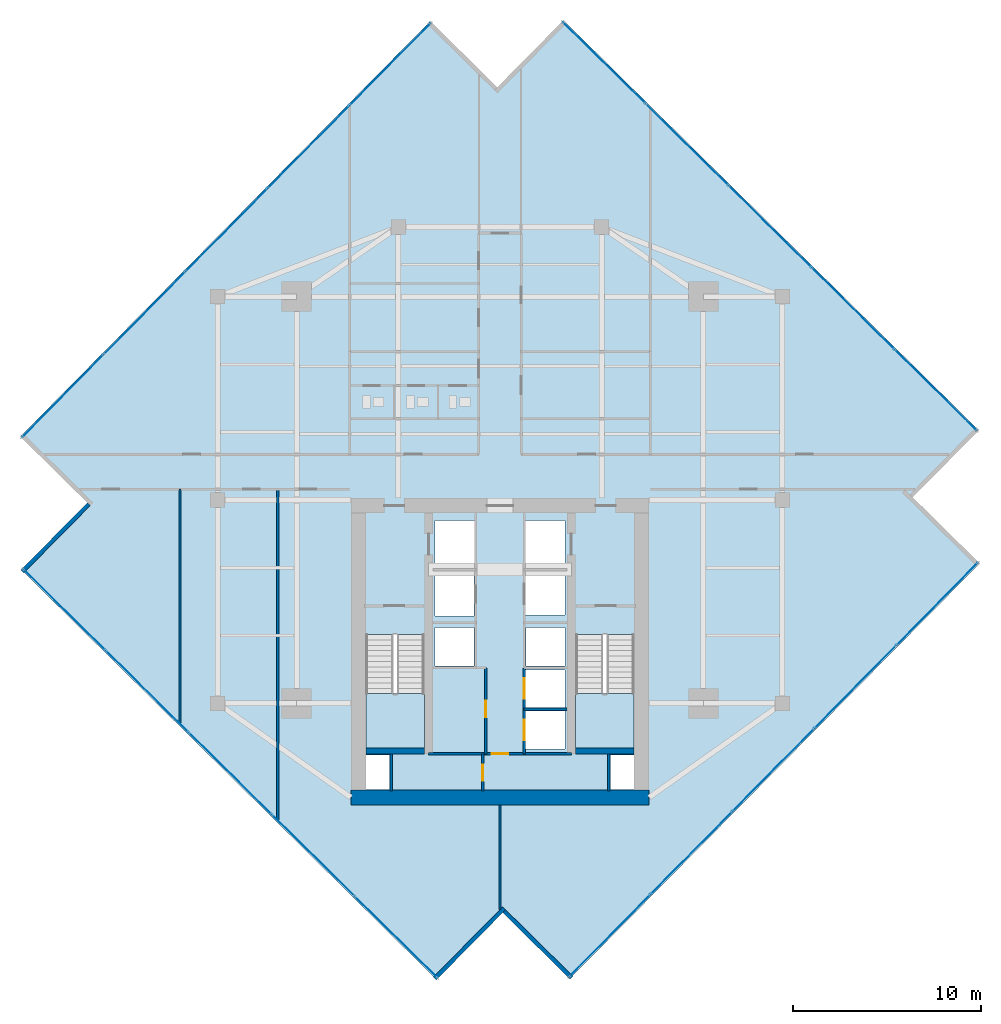
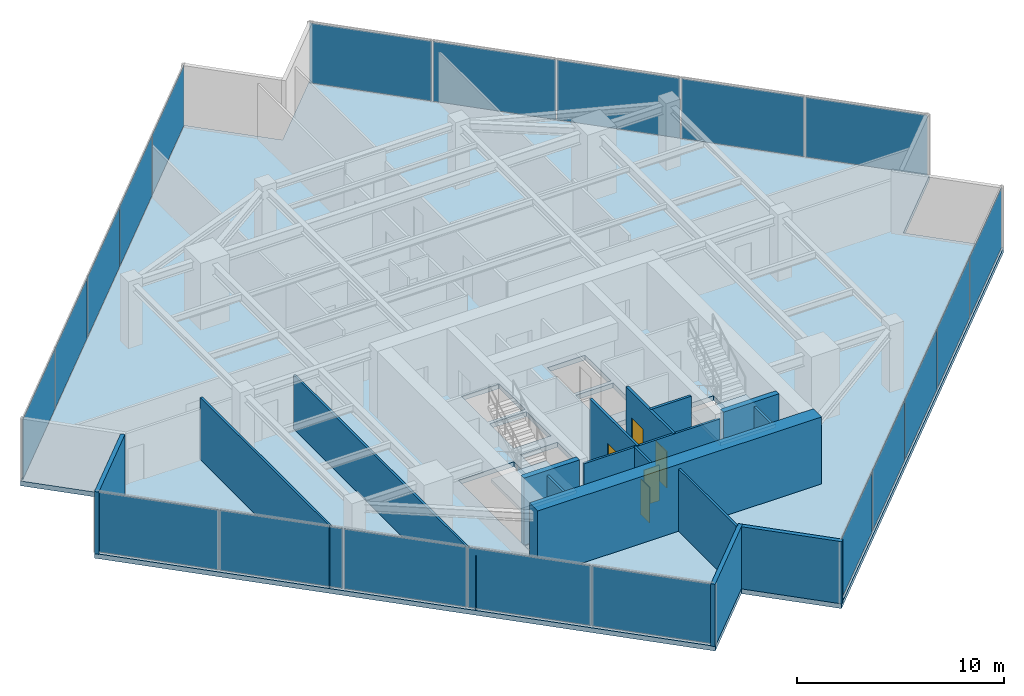
# One storey, part 20 of 24: 20 plates, 16 walls, 5 doors, 3 slabs, 5 openings, 6 elements without a shape of their own.
"""IFC4 building model written with IfcOpenShell, lengths in metres."""

from ifc_helpers import new_model, si_unit, direction, frame, frame_2d, origin, origin_2d, place, context, subcontext, project, spatial, polyline, rectangle, outline, extrude, source, transform, mapped, material, layer, layer_set, type_object, type_shapes, element, fill, aggregate, save


model = new_model("IFC4")

# Units and contexts
model_context = context("Model", 3, precision=1e-05, world=origin(), true_north=direction((0.0, 1.0)))
body_context = subcontext(model_context, "Body", "Model", "MODEL_VIEW")
ifc_project = project(units=[si_unit("LENGTHUNIT", "METRE"), si_unit("AREAUNIT", "SQUARE_METRE"), si_unit("VOLUMEUNIT", "CUBIC_METRE"), si_unit("PLANEANGLEUNIT", "RADIAN"), si_unit("MASSUNIT", "GRAM", prefix="KILO")], contexts=[model_context])

# Site, building, storey
site_placement = place(None, origin())
site = spatial("IfcSite", under=ifc_project, at=site_placement, CompositionType="ELEMENT")
building_placement = place(site_placement, origin())
building = spatial("IfcBuilding", under=site, at=building_placement, Name="Krantzveldt Concourse Tower", CompositionType="ELEMENT")
storey_placement = place(building_placement, frame((0.0, 0.0, 231.0)))
storey = spatial("IfcBuildingStorey", under=building, at=storey_placement, Name="L56", CompositionType="ELEMENT", Elevation=231.0)

# Stair, slab
ifc_material_1 = material(Name="Precast concrete C40/50", Category="concrete")
stair_type = type_object("IfcStairType", Name="STR-CORE-DOGLEG", PredefinedType="HALF_TURN_STAIR", material=ifc_material_1)
stair_1_placement = place(storey_placement, origin())
stair_1 = element("IfcStair", 1, at=stair_1_placement, inside=storey, type_object=stair_type, Name="L56 Protected Escape Stair ST-1", PredefinedType="HALF_TURN_STAIR")
ifc_layer_1 = layer(ifc_material_1, 0.199951171875, Name="Precast concrete C40/50", Category="concrete")
ifc_layer_set_1 = layer_set([ifc_layer_1], Name="Precast concrete C40/50 (SL-LANDING-200)")
slab_type_1 = type_object("IfcSlabType", Name="SL-LANDING-200", PredefinedType="LANDING", material=ifc_layer_set_1)
slab_1_placement = place(storey_placement, frame((0.0, 0.0, 1.77490234375)))
slab_1 = element("IfcSlab", 2, at=slab_1_placement, type_object=slab_type_1, Name="ST-1 landing 1", PredefinedType="LANDING", context=body_context, shape_type="SweptSolid", body=[
    extrude(outline(polyline([(28.8798828125, 16.4150390625), (28.8798828125, 13.52001953125), (31.97998046875, 13.52001953125), (31.97998046875, 16.4150390625), (28.8798828125, 16.4150390625)])), origin(), (0.0, 0.0, 1.0), 0.2001953125),
])
aggregate(stair_1, [slab_1])

stair_2_placement = place(storey_placement, origin())
stair_2 = element("IfcStair", 3, at=stair_2_placement, inside=storey, type_object=stair_type, Name="L56 Protected Escape Stair ST-2", PredefinedType="HALF_TURN_STAIR")
slab_2_placement = place(storey_placement, frame((0.0, 0.0, 1.77490234375)))
slab_2 = element("IfcSlab", 4, at=slab_2_placement, type_object=slab_type_1, Name="ST-2 landing 1", PredefinedType="LANDING", context=body_context, shape_type="SweptSolid", body=[
    extrude(outline(polyline([(40.02001953125, 16.4150390625), (40.02001953125, 13.52001953125), (43.1201171875, 13.52001953125), (43.1201171875, 16.4150390625), (40.02001953125, 16.4150390625)])), origin(), (0.0, 0.0, 1.0), 0.2001953125),
])
aggregate(stair_2, [slab_2])

# Slab
ifc_material_2 = material(Name="Concrete C40/50", Category="concrete")
ifc_layer_2 = layer(ifc_material_2, 0.280029296875, Name="Concrete C40/50", Category="concrete")
ifc_layer_set_2 = layer_set([ifc_layer_2], Name="Concrete C40/50 (SL-SL-TWR280)")
slab_type_2 = type_object("IfcSlabType", Name="SL-SL-TWR280", PredefinedType="FLOOR", material=ifc_layer_set_2)
slab_3_placement = place(storey_placement, frame((0.0, 0.0, -0.280029296875)))
element("IfcSlab", 5, at=slab_3_placement, inside=storey, type_object=slab_type_2, Name="SL-L56-MAIN", PredefinedType="FLOOR", context=body_context, shape_type="SweptSolid", body=[
    extrude(outline(polyline([(35.8564453125, 48.619873046875), (32.2978515625, 52.132080078125), (10.521484375, 30.06884765625), (14.080078125, 26.556640625), (10.56787109375, 22.998046875), (32.631103515625, 1.2216796875), (36.1435546875, 4.7802734375), (39.7021484375, 1.267822265625), (61.478515625, 23.3310546875), (57.919921875, 26.843505859375), (61.43212890625, 30.402099609375), (39.368896484375, 52.178466796875), (35.8564453125, 48.619873046875)]), holes=[polyline([(28.8798828125, 19.547607421875), (28.8798828125, 13.52001953125), (31.97998046875, 13.52001953125), (31.97998046875, 19.547607421875), (28.8798828125, 19.547607421875)]), polyline([(40.02001953125, 19.547607421875), (40.02001953125, 13.52001953125), (43.1201171875, 13.52001953125), (43.1201171875, 19.547607421875), (40.02001953125, 19.547607421875)]), polyline([(32.550048828125, 23.10009765625), (34.64990234375, 23.10009765625), (34.64990234375, 25.60009765625), (32.550048828125, 25.60009765625), (32.550048828125, 23.10009765625)]), polyline([(37.35009765625, 23.10009765625), (39.449951171875, 23.10009765625), (39.449951171875, 25.60009765625), (37.35009765625, 25.60009765625), (37.35009765625, 23.10009765625)]), polyline([(37.35009765625, 20.60009765625), (39.449951171875, 20.60009765625), (39.449951171875, 22.89990234375), (37.35009765625, 22.89990234375), (37.35009765625, 20.60009765625)]), polyline([(37.35009765625, 13.47998046875), (39.449951171875, 13.47998046875), (39.449951171875, 15.47998046875), (37.35009765625, 15.47998046875), (37.35009765625, 13.47998046875)]), polyline([(37.35009765625, 15.679931640625), (39.449951171875, 15.679931640625), (39.449951171875, 17.679931640625), (37.35009765625, 17.679931640625), (37.35009765625, 15.679931640625)]), polyline([(32.550048828125, 20.550048828125), (34.6201171875, 20.550048828125), (34.6201171875, 22.89990234375), (32.550048828125, 22.89990234375), (32.550048828125, 20.550048828125)]), polyline([(32.550048828125, 17.8798828125), (34.6201171875, 17.8798828125), (34.6201171875, 19.919921875), (32.550048828125, 19.919921875), (32.550048828125, 17.8798828125)]), polyline([(37.3798828125, 17.8798828125), (39.449951171875, 17.8798828125), (39.449951171875, 19.919921875), (37.3798828125, 19.919921875), (37.3798828125, 17.8798828125)]), polyline([(28.8798828125, 11.320068359375), (30.139892578125, 11.320068359375), (30.139892578125, 13.159912109375), (28.8798828125, 13.159912109375), (28.8798828125, 11.320068359375)]), polyline([(41.860107421875, 11.320068359375), (43.1201171875, 11.320068359375), (43.1201171875, 13.159912109375), (41.860107421875, 13.159912109375), (41.860107421875, 11.320068359375)])]), origin(), (0.0, 0.0, 1.0), 0.280029296875),
])

# Curtain wall, plates
ifc_material_3 = material(Name="Anodised aluminium 6063-T6", Category="aluminium")
curtain_wall_type = type_object("IfcCurtainWallType", Name="CW3", PredefinedType="USERDEFINED", material=ifc_material_3)
curtain_wall_1_placement = place(storey_placement, origin())
curtain_wall_1 = element("IfcCurtainWall", 6, at=curtain_wall_1_placement, inside=storey, type_object=curtain_wall_type, Name="CW-L56-F01", ObjectType="UNITISED CURTAIN WALL", PredefinedType="USERDEFINED")
ifc_material_4 = material(Name="Bronze-tinted laminated low-E IGU glass", Category="glass")
ifc_layer_3 = layer(ifc_material_4, 0.031982421875, Name="Bronze-tinted laminated low-E IGU glass", Category="glass")
ifc_layer_set_3 = layer_set([ifc_layer_3], Name="Bronze-tinted laminated low-E IGU glass (CW-GLZ-32)")
plate_type = type_object("IfcPlateType", Name="CW-GLZ-32", PredefinedType="CURTAIN_PANEL", material=ifc_layer_set_3)
shared_shape_1 = source(origin(), body_context, "Body", "SweptSolid", [
    extrude(rectangle(XDim=6.094970703125, YDim=0.031982421875, at=origin_2d()), origin(), (0.0, 0.0, 1.0), 3.530029296875),
])
plate_1_placement = place(storey_placement, frame((30.172119140625, 49.85009765625, 0.06982421875), z_axis=(0.0, 0.0, 1.0), x_axis=(-0.702463570854, -0.711719700179, 0.0)))
plate_1 = element("IfcPlate", 7, at=plate_1_placement, type_object=plate_type, Name="CW-Z34 panel 1.1", PredefinedType="CURTAIN_PANEL", context=body_context, shape_type="MappedRepresentation", body=[
    mapped(shared_shape_1, transform((0.0, 0.0, 0.0), x_axis=(1.0, 0.0, 0.0), y_axis=(0.0, 1.0, 0.0), z_axis=(0.0, 0.0, 1.0), scale=1.0)),
])
plate_2_placement = place(storey_placement, frame((12.775634765625, 32.224365234375, 0.06982421875), z_axis=(0.0, 0.0, 1.0), x_axis=(-0.702463570854, -0.711719700179, 0.0)))
plate_2 = element("IfcPlate", 8, at=plate_2_placement, type_object=plate_type, Name="CW-Z34 panel 5.1", PredefinedType="CURTAIN_PANEL", context=body_context, shape_type="MappedRepresentation", body=[
    mapped(shared_shape_1, transform((0.0, 0.0, 0.0), x_axis=(1.0, 0.0, 0.0), y_axis=(0.0, 1.0, 0.0), z_axis=(0.0, 0.0, 1.0), scale=1.0)),
])

curtain_wall_2_placement = place(storey_placement, origin())
curtain_wall_2 = element("IfcCurtainWall", 9, at=curtain_wall_2_placement, inside=storey, type_object=curtain_wall_type, Name="CW-L56-F04", ObjectType="UNITISED CURTAIN WALL", PredefinedType="USERDEFINED")
plate_3_placement = place(storey_placement, frame((12.849853515625, 20.8720703125, 0.06982421875), z_axis=(0.0, 0.0, 1.0), x_axis=(0.711719700179, -0.702463570854, 0.0)))
plate_3 = element("IfcPlate", 10, at=plate_3_placement, type_object=plate_type, Name="CW-Z34 panel 1.1", PredefinedType="CURTAIN_PANEL", context=body_context, shape_type="MappedRepresentation", body=[
    mapped(shared_shape_1, transform((0.0, 0.0, 0.0), x_axis=(1.0, 0.0, 0.0), y_axis=(0.0, 1.0, 0.0), z_axis=(0.0, 0.0, 1.0), scale=1.0)),
])
plate_4_placement = place(storey_placement, frame((30.4755859375, 3.4755859375, 0.06982421875), z_axis=(0.0, 0.0, 1.0), x_axis=(0.711719700179, -0.702463570854, 0.0)))
plate_4 = element("IfcPlate", 11, at=plate_4_placement, type_object=plate_type, Name="CW-Z34 panel 5.1", PredefinedType="CURTAIN_PANEL", context=body_context, shape_type="MappedRepresentation", body=[
    mapped(shared_shape_1, transform((0.0, 0.0, 0.0), x_axis=(1.0, 0.0, 0.0), y_axis=(0.0, 1.0, 0.0), z_axis=(0.0, 0.0, 1.0), scale=1.0)),
])

curtain_wall_3_placement = place(storey_placement, origin())
curtain_wall_3 = element("IfcCurtainWall", 12, at=curtain_wall_3_placement, inside=storey, type_object=curtain_wall_type, Name="CW-L56-F07", ObjectType="UNITISED CURTAIN WALL", PredefinedType="USERDEFINED")
plate_5_placement = place(storey_placement, frame((41.827880859375, 3.5498046875, 0.06982421875), z_axis=(0.0, 0.0, 1.0), x_axis=(0.702463570854, 0.711719700179, 0.0)))
plate_5 = element("IfcPlate", 13, at=plate_5_placement, type_object=plate_type, Name="CW-Z34 panel 1.1", PredefinedType="CURTAIN_PANEL", context=body_context, shape_type="MappedRepresentation", body=[
    mapped(shared_shape_1, transform((0.0, 0.0, 0.0), x_axis=(1.0, 0.0, 0.0), y_axis=(0.0, 1.0, 0.0), z_axis=(0.0, 0.0, 1.0), scale=1.0)),
])
plate_6_placement = place(storey_placement, frame((59.224365234375, 21.175537109375, 0.06982421875), z_axis=(0.0, 0.0, 1.0), x_axis=(0.702463570854, 0.711719700179, 0.0)))
plate_6 = element("IfcPlate", 14, at=plate_6_placement, type_object=plate_type, Name="CW-Z34 panel 5.1", PredefinedType="CURTAIN_PANEL", context=body_context, shape_type="MappedRepresentation", body=[
    mapped(shared_shape_1, transform((0.0, 0.0, 0.0), x_axis=(1.0, 0.0, 0.0), y_axis=(0.0, 1.0, 0.0), z_axis=(0.0, 0.0, 1.0), scale=1.0)),
])

curtain_wall_4_placement = place(storey_placement, origin())
curtain_wall_4 = element("IfcCurtainWall", 15, at=curtain_wall_4_placement, inside=storey, type_object=curtain_wall_type, Name="CW-L56-F10", ObjectType="UNITISED CURTAIN WALL", PredefinedType="USERDEFINED")
plate_7_placement = place(storey_placement, frame((59.150146484375, 32.52783203125, 0.06982421875), z_axis=(0.0, 0.0, 1.0), x_axis=(-0.711719700179, 0.702463570854, 0.0)))
plate_7 = element("IfcPlate", 16, at=plate_7_placement, type_object=plate_type, Name="CW-Z34 panel 1.1", PredefinedType="CURTAIN_PANEL", context=body_context, shape_type="MappedRepresentation", body=[
    mapped(shared_shape_1, transform((0.0, 0.0, 0.0), x_axis=(1.0, 0.0, 0.0), y_axis=(0.0, 1.0, 0.0), z_axis=(0.0, 0.0, 1.0), scale=1.0)),
])
plate_8_placement = place(storey_placement, frame((41.5244140625, 49.924560546875, 0.06982421875), z_axis=(0.0, 0.0, 1.0), x_axis=(-0.711719700179, 0.702463570854, 0.0)))
plate_8 = element("IfcPlate", 17, at=plate_8_placement, type_object=plate_type, Name="CW-Z34 panel 5.1", PredefinedType="CURTAIN_PANEL", context=body_context, shape_type="MappedRepresentation", body=[
    mapped(shared_shape_1, transform((0.0, 0.0, 0.0), x_axis=(1.0, 0.0, 0.0), y_axis=(0.0, 1.0, 0.0), z_axis=(0.0, 0.0, 1.0), scale=1.0)),
])

# Plate
shared_shape_2 = source(origin(), body_context, "Body", "SweptSolid", [
    extrude(rectangle(XDim=6.1298828125, YDim=0.031982421875, at=origin_2d()), origin(), (0.0, 0.0, 1.0), 3.530029296875),
])
type_shapes(plate_type, [shared_shape_1, shared_shape_2])
plate_9_placement = place(storey_placement, frame((25.8291015625, 45.449951171875, 0.06982421875), z_axis=(0.0, 0.0, 1.0), x_axis=(-0.702463570854, -0.711719700179, 0.0)))
plate_9 = element("IfcPlate", 18, at=plate_9_placement, type_object=plate_type, Name="CW-Z34 panel 2.1", PredefinedType="CURTAIN_PANEL", context=body_context, shape_type="MappedRepresentation", body=[
    mapped(shared_shape_2, transform((0.0, 0.0, 0.0), x_axis=(1.0, 0.0, 0.0), y_axis=(0.0, 1.0, 0.0), z_axis=(0.0, 0.0, 1.0), scale=1.0)),
])

plate_10_placement = place(storey_placement, frame((21.473876953125, 41.037353515625, 0.06982421875), z_axis=(0.0, 0.0, 1.0), x_axis=(-0.702463570854, -0.711719700179, 0.0)))
plate_10 = element("IfcPlate", 19, at=plate_10_placement, type_object=plate_type, Name="CW-Z34 panel 3.1", PredefinedType="CURTAIN_PANEL", context=body_context, shape_type="MappedRepresentation", body=[
    mapped(shared_shape_2, transform((0.0, 0.0, 0.0), x_axis=(1.0, 0.0, 0.0), y_axis=(0.0, 1.0, 0.0), z_axis=(0.0, 0.0, 1.0), scale=1.0)),
])

plate_11_placement = place(storey_placement, frame((17.118408203125, 36.62451171875, 0.06982421875), z_axis=(0.0, 0.0, 1.0), x_axis=(-0.702463570854, -0.711719700179, 0.0)))
plate_11 = element("IfcPlate", 20, at=plate_11_placement, type_object=plate_type, Name="CW-Z34 panel 4.1", PredefinedType="CURTAIN_PANEL", context=body_context, shape_type="MappedRepresentation", body=[
    mapped(shared_shape_2, transform((0.0, 0.0, 0.0), x_axis=(1.0, 0.0, 0.0), y_axis=(0.0, 1.0, 0.0), z_axis=(0.0, 0.0, 1.0), scale=1.0)),
])

aggregate(curtain_wall_1, [plate_1, plate_9, plate_10, plate_11, plate_2])

plate_12_placement = place(storey_placement, frame((17.25, 16.529052734375, 0.06982421875), z_axis=(0.0, 0.0, 1.0), x_axis=(0.711719700179, -0.702463570854, 0.0)))
plate_12 = element("IfcPlate", 21, at=plate_12_placement, type_object=plate_type, Name="CW-Z34 panel 2.1", PredefinedType="CURTAIN_PANEL", context=body_context, shape_type="MappedRepresentation", body=[
    mapped(shared_shape_2, transform((0.0, 0.0, 0.0), x_axis=(1.0, 0.0, 0.0), y_axis=(0.0, 1.0, 0.0), z_axis=(0.0, 0.0, 1.0), scale=1.0)),
])

plate_13_placement = place(storey_placement, frame((21.66259765625, 12.173828125, 0.06982421875), z_axis=(0.0, 0.0, 1.0), x_axis=(0.711719700179, -0.702463570854, 0.0)))
plate_13 = element("IfcPlate", 22, at=plate_13_placement, type_object=plate_type, Name="CW-Z34 panel 3.1", PredefinedType="CURTAIN_PANEL", context=body_context, shape_type="MappedRepresentation", body=[
    mapped(shared_shape_2, transform((0.0, 0.0, 0.0), x_axis=(1.0, 0.0, 0.0), y_axis=(0.0, 1.0, 0.0), z_axis=(0.0, 0.0, 1.0), scale=1.0)),
])

plate_14_placement = place(storey_placement, frame((26.075439453125, 7.818603515625, 0.06982421875), z_axis=(0.0, 0.0, 1.0), x_axis=(0.711719700179, -0.702463570854, 0.0)))
plate_14 = element("IfcPlate", 23, at=plate_14_placement, type_object=plate_type, Name="CW-Z34 panel 4.1", PredefinedType="CURTAIN_PANEL", context=body_context, shape_type="MappedRepresentation", body=[
    mapped(shared_shape_2, transform((0.0, 0.0, 0.0), x_axis=(1.0, 0.0, 0.0), y_axis=(0.0, 1.0, 0.0), z_axis=(0.0, 0.0, 1.0), scale=1.0)),
])

aggregate(curtain_wall_2, [plate_3, plate_12, plate_13, plate_14, plate_4])

plate_15_placement = place(storey_placement, frame((46.1708984375, 7.949951171875, 0.06982421875), z_axis=(0.0, 0.0, 1.0), x_axis=(0.702463570854, 0.711719700179, 0.0)))
plate_15 = element("IfcPlate", 24, at=plate_15_placement, type_object=plate_type, Name="CW-Z34 panel 2.1", PredefinedType="CURTAIN_PANEL", context=body_context, shape_type="MappedRepresentation", body=[
    mapped(shared_shape_2, transform((0.0, 0.0, 0.0), x_axis=(1.0, 0.0, 0.0), y_axis=(0.0, 1.0, 0.0), z_axis=(0.0, 0.0, 1.0), scale=1.0)),
])

plate_16_placement = place(storey_placement, frame((50.526123046875, 12.36279296875, 0.06982421875), z_axis=(0.0, 0.0, 1.0), x_axis=(0.702463570854, 0.711719700179, 0.0)))
plate_16 = element("IfcPlate", 25, at=plate_16_placement, type_object=plate_type, Name="CW-Z34 panel 3.1", PredefinedType="CURTAIN_PANEL", context=body_context, shape_type="MappedRepresentation", body=[
    mapped(shared_shape_2, transform((0.0, 0.0, 0.0), x_axis=(1.0, 0.0, 0.0), y_axis=(0.0, 1.0, 0.0), z_axis=(0.0, 0.0, 1.0), scale=1.0)),
])

plate_17_placement = place(storey_placement, frame((54.881591796875, 16.775390625, 0.06982421875), z_axis=(0.0, 0.0, 1.0), x_axis=(0.702463570854, 0.711719700179, 0.0)))
plate_17 = element("IfcPlate", 26, at=plate_17_placement, type_object=plate_type, Name="CW-Z34 panel 4.1", PredefinedType="CURTAIN_PANEL", context=body_context, shape_type="MappedRepresentation", body=[
    mapped(shared_shape_2, transform((0.0, 0.0, 0.0), x_axis=(1.0, 0.0, 0.0), y_axis=(0.0, 1.0, 0.0), z_axis=(0.0, 0.0, 1.0), scale=1.0)),
])

aggregate(curtain_wall_3, [plate_5, plate_15, plate_16, plate_17, plate_6])

plate_18_placement = place(storey_placement, frame((54.75, 36.870849609375, 0.06982421875), z_axis=(0.0, 0.0, 1.0), x_axis=(-0.711719700179, 0.702463570854, 0.0)))
plate_18 = element("IfcPlate", 27, at=plate_18_placement, type_object=plate_type, Name="CW-Z34 panel 2.1", PredefinedType="CURTAIN_PANEL", context=body_context, shape_type="MappedRepresentation", body=[
    mapped(shared_shape_2, transform((0.0, 0.0, 0.0), x_axis=(1.0, 0.0, 0.0), y_axis=(0.0, 1.0, 0.0), z_axis=(0.0, 0.0, 1.0), scale=1.0)),
])

plate_19_placement = place(storey_placement, frame((50.33740234375, 41.226318359375, 0.06982421875), z_axis=(0.0, 0.0, 1.0), x_axis=(-0.711719700179, 0.702463570854, 0.0)))
plate_19 = element("IfcPlate", 28, at=plate_19_placement, type_object=plate_type, Name="CW-Z34 panel 3.1", PredefinedType="CURTAIN_PANEL", context=body_context, shape_type="MappedRepresentation", body=[
    mapped(shared_shape_2, transform((0.0, 0.0, 0.0), x_axis=(1.0, 0.0, 0.0), y_axis=(0.0, 1.0, 0.0), z_axis=(0.0, 0.0, 1.0), scale=1.0)),
])

plate_20_placement = place(storey_placement, frame((45.924560546875, 45.58154296875, 0.06982421875), z_axis=(0.0, 0.0, 1.0), x_axis=(-0.711719700179, 0.702463570854, 0.0)))
plate_20 = element("IfcPlate", 29, at=plate_20_placement, type_object=plate_type, Name="CW-Z34 panel 4.1", PredefinedType="CURTAIN_PANEL", context=body_context, shape_type="MappedRepresentation", body=[
    mapped(shared_shape_2, transform((0.0, 0.0, 0.0), x_axis=(1.0, 0.0, 0.0), y_axis=(0.0, 1.0, 0.0), z_axis=(0.0, 0.0, 1.0), scale=1.0)),
])

aggregate(curtain_wall_4, [plate_7, plate_18, plate_19, plate_20, plate_8])

# Walls
ifc_layer_4 = layer(ifc_material_3, 0.219970703125, Name="Anodised aluminium 6063-T6", Category="aluminium")
ifc_layer_set_4 = layer_set([ifc_layer_4], Name="Anodised aluminium 6063-T6 (WL-EXT-NOTCH220)")
wall_type_1 = type_object("IfcWallType", Name="WL-EXT-NOTCH220", PredefinedType="ELEMENTEDWALL", material=ifc_layer_set_4)
wall_1_placement = place(storey_placement, frame((14.158447265625, 26.479248046875, 0.0), z_axis=(0.0, 0.0, 1.0), x_axis=(-0.702451626199, -0.711731489292, 0.0)))
element("IfcWall", 30, at=wall_1_placement, inside=storey, type_object=wall_type_1, Name="EW-L56-NCH03", PredefinedType="ELEMENTEDWALL", context=body_context, shape_type="SweptSolid", body=[
    extrude(rectangle(XDim=5.02490234375, YDim=0.219970703125, at=frame_2d((2.512451171875, 0.0))), origin(), (0.0, 0.0, 1.0), 3.669921875),
])
wall_2_placement = place(storey_placement, frame((32.535400390625, 1.281005859375, 0.0), z_axis=(0.0, 0.0, 1.0), x_axis=(0.702460059039, 0.711723166305, 0.0)))
element("IfcWall", 31, at=wall_2_placement, inside=storey, type_object=wall_type_1, Name="EW-L56-NCH05", PredefinedType="ELEMENTEDWALL", context=body_context, shape_type="SweptSolid", body=[
    extrude(rectangle(XDim=5.244873046875, YDim=0.219970703125, at=frame_2d((2.62255859375, 0.0))), origin(), (0.0, 0.0, 1.0), 3.669921875),
])
wall_3_placement = place(storey_placement, frame((36.220703125, 4.8583984375, 0.0), z_axis=(0.0, 0.0, 1.0), x_axis=(0.711731489292, -0.702451626199, 0.0)))
element("IfcWall", 32, at=wall_3_placement, inside=storey, type_object=wall_type_1, Name="EW-L56-NCH06", PredefinedType="ELEMENTEDWALL", context=body_context, shape_type="SweptSolid", body=[
    extrude(rectangle(XDim=5.02490234375, YDim=0.219970703125, at=frame_2d((2.512451171875, 0.0))), origin(), (0.0, 0.0, 1.0), 3.669921875),
])

# Wall, opening, door
ifc_material_5 = material(Name="Fire-rated gypsum plasterboard on steel stud", Category="steel")
ifc_layer_5 = layer(ifc_material_5, 0.1201171875, Name="Fire-rated gypsum plasterboard on steel stud", Category="steel")
ifc_layer_set_5 = layer_set([ifc_layer_5], Name="Fire-rated gypsum plasterboard on steel stud (WL-PART-120)")
wall_type_2 = type_object("IfcWallType", Name="WL-PART-120", PredefinedType="PARTITIONING", material=ifc_layer_set_5)
wall_4_placement = place(storey_placement, frame((32.2099609375, 13.219970703125, 0.0), z_axis=(0.0, 0.0, 1.0), x_axis=(1.0, 0.0, 0.0)))
wall_4 = element("IfcWall", 33, at=wall_4_placement, inside=storey, type_object=wall_type_2, Name="WP-L56-CS2H", PredefinedType="PARTITIONING", context=body_context, shape_type="SweptSolid", body=[
    extrude(rectangle(XDim=7.580078125, YDim=0.1201171875, at=frame_2d((3.7900390625, 0.0))), origin(), (0.0, 0.0, 1.0), 3.669921875),
])
opening_1_placement = place(wall_4_placement, frame((3.364990234375, 0.0, 0.0)))
opening_1 = element("IfcOpeningElement", 34, at=opening_1_placement, cuts=wall_4, Name="Opening D-IN085", PredefinedType="OPENING", context=body_context, shape_type="SweptSolid", body=[
    extrude(rectangle(XDim=0.85009765625, YDim=2.10009765625, at=frame_2d((0.425048828125, 1.050048828125))), frame((0.0, 0.070068359375, 0.0), z_axis=(0.0, -1.0, 0.0), x_axis=(1.0, 0.0, 0.0)), (0.0, 0.0, 1.0), 0.14013671875),
])
ifc_material_6 = material(Name="Hardwood timber", Category="wood")
door_type_1 = type_object("IfcDoorType", Name="DR-INT-850", OperationType="SINGLE_SWING_LEFT", PredefinedType="DOOR", material=ifc_material_6)
door_1_placement = place(opening_1_placement, origin())
door_1 = element("IfcDoor", 35, at=door_1_placement, inside=storey, type_object=door_type_1, Name="DR-L56-LLBS", OperationType="SINGLE_SWING_RIGHT", OverallHeight=2.10009765625, OverallWidth=0.85009765625, PredefinedType="DOOR", context=body_context, shape_type="SweptSolid", body=[
    extrude(rectangle(XDim=0.85009765625, YDim=2.10009765625, at=frame_2d((0.425048828125, 1.050048828125))), frame((0.0, 0.02490234375, 0.0), z_axis=(0.0, -1.0, 0.0), x_axis=(1.0, 0.0, 0.0)), (0.0, 0.0, 1.0), 0.050048828125),
])
fill(opening_1, door_1)

wall_5_placement = place(storey_placement, frame((35.080078125, 11.25, 0.0), z_axis=(0.0, 0.0, 1.0), x_axis=(0.0, 1.0, 0.0)))
wall_5 = element("IfcWall", 36, at=wall_5_placement, inside=storey, type_object=wall_type_2, Name="WP-L56-CSA-V", PredefinedType="PARTITIONING", context=body_context, shape_type="SweptSolid", body=[
    extrude(rectangle(XDim=1.969970703125, YDim=0.1201171875, at=frame_2d((0.98486328125, 0.0))), origin(), (0.0, 0.0, 1.0), 3.669921875),
])
opening_2_placement = place(wall_5_placement, frame((0.544921875, 0.0, 0.0)))
opening_2 = element("IfcOpeningElement", 37, at=opening_2_placement, cuts=wall_5, Name="Opening D-IN085", PredefinedType="OPENING", context=body_context, shape_type="SweptSolid", body=[
    extrude(rectangle(XDim=0.85009765625, YDim=2.10009765625, at=frame_2d((0.425048828125, 1.050048828125))), frame((0.0, 0.070068359375, 0.0), z_axis=(0.0, -1.0, 0.0), x_axis=(1.0, 0.0, 0.0)), (0.0, 0.0, 1.0), 0.14013671875),
])
door_2_placement = place(opening_2_placement, origin())
door_2 = element("IfcDoor", 38, at=door_2_placement, inside=storey, type_object=door_type_1, Name="DR-L56-CSA1", OperationType="SINGLE_SWING_LEFT", OverallHeight=2.10009765625, OverallWidth=0.85009765625, PredefinedType="DOOR", context=body_context, shape_type="SweptSolid", body=[
    extrude(rectangle(XDim=0.85009765625, YDim=2.10009765625, at=frame_2d((0.425048828125, 1.050048828125))), frame((0.0, 0.02490234375, 0.0), z_axis=(0.0, -1.0, 0.0), x_axis=(1.0, 0.0, 0.0)), (0.0, 0.0, 1.0), 0.050048828125),
])
fill(opening_2, door_2)

# Walls
wall_6_placement = place(storey_placement, frame((36.0, 4.955078125, 0.0), z_axis=(0.0, 0.0, 1.0), x_axis=(0.0, 1.0, 0.0)))
element("IfcWall", 39, at=wall_6_placement, inside=storey, type_object=wall_type_2, Name="WP-L56-SMID", PredefinedType="PARTITIONING", context=body_context, shape_type="SweptSolid", body=[
    extrude(rectangle(XDim=5.544921875, YDim=0.1201171875, at=frame_2d((2.7724609375, 0.0))), origin(), (0.0, 0.0, 1.0), 3.669921875),
])
wall_7_placement = place(storey_placement, frame((19.0, 14.802001953125, 0.0), z_axis=(0.0, 0.0, 1.0), x_axis=(0.0, 1.0, 0.0)))
element("IfcWall", 40, at=wall_7_placement, inside=storey, type_object=wall_type_2, Name="WP-L56-SWX1", PredefinedType="PARTITIONING", context=body_context, shape_type="SweptSolid", body=[
    extrude(rectangle(XDim=12.47802734375, YDim=0.1201171875, at=frame_2d((6.239013671875, 0.0))), origin(), (0.0, 0.0, 1.0), 3.669921875),
])
wall_8_placement = place(storey_placement, frame((24.199951171875, 9.66943359375, 0.0), z_axis=(0.0, 0.0, 1.0), x_axis=(0.0, 1.0, 0.0)))
element("IfcWall", 41, at=wall_8_placement, inside=storey, type_object=wall_type_2, Name="WP-L56-SWX2", PredefinedType="PARTITIONING", context=body_context, shape_type="SweptSolid", body=[
    extrude(rectangle(XDim=17.610595703125, YDim=0.1201171875, at=frame_2d((8.80517578125, 0.0))), origin(), (0.0, 0.0, 1.0), 3.179931640625),
])

# Wall, opening, door
ifc_layer_6 = layer(ifc_material_5, 0.139892578125, Name="Fire-rated gypsum plasterboard on steel stud", Category="steel")
ifc_layer_set_6 = layer_set([ifc_layer_6], Name="Fire-rated gypsum plasterboard on steel stud (WL-PART-FR140)")
wall_type_3 = type_object("IfcWallType", Name="WL-PART-FR140", PredefinedType="PARTITIONING", material=ifc_layer_set_6)
wall_9_placement = place(storey_placement, frame((35.25, 13.219970703125, 0.0), z_axis=(0.0, 0.0, 1.0), x_axis=(0.0, 1.0, 0.0)))
wall_9 = element("IfcWall", 42, at=wall_9_placement, inside=storey, type_object=wall_type_3, Name="WP-L56-RECW", PredefinedType="PARTITIONING", context=body_context, shape_type="SweptSolid", body=[
    extrude(rectangle(XDim=4.56005859375, YDim=0.139892578125, at=frame_2d((2.280029296875, 0.0))), origin(), (0.0, 0.0, 1.0), 3.669921875),
])
opening_3_placement = place(wall_9_placement, frame((1.929931640625, 0.0, 0.0)))
opening_3 = element("IfcOpeningElement", 43, at=opening_3_placement, cuts=wall_9, Name="Opening D-FD090", PredefinedType="OPENING", context=body_context, shape_type="SweptSolid", body=[
    extrude(rectangle(XDim=0.89990234375, YDim=2.10009765625, at=frame_2d((0.449951171875, 1.050048828125))), frame((0.0, 0.080078125, 0.0), z_axis=(0.0, -1.0, 0.0), x_axis=(1.0, 0.0, 0.0)), (0.0, 0.0, 1.0), 0.159912109375),
])
door_type_2 = type_object("IfcDoorType", Name="DR-FD60-900", OperationType="SINGLE_SWING_LEFT", PredefinedType="DOOR", material=ifc_material_6)
door_3_placement = place(opening_3_placement, origin())
door_3 = element("IfcDoor", 44, at=door_3_placement, inside=storey, type_object=door_type_2, Name="DR-L56-RECW", OperationType="SINGLE_SWING_LEFT", OverallHeight=2.10009765625, OverallWidth=0.89990234375, PredefinedType="DOOR", context=body_context, shape_type="SweptSolid", body=[
    extrude(rectangle(XDim=0.89990234375, YDim=2.10009765625, at=frame_2d((0.449951171875, 1.050048828125))), frame((0.0, 0.02490234375, 0.0), z_axis=(0.0, -1.0, 0.0), x_axis=(1.0, 0.0, 0.0)), (0.0, 0.0, 1.0), 0.050048828125),
])
fill(opening_3, door_3)

# Wall, openings, doors
wall_10_placement = place(storey_placement, frame((37.280029296875, 13.219970703125, 0.0), z_axis=(0.0, 0.0, 1.0), x_axis=(0.0, 1.0, 0.0)))
wall_10 = element("IfcWall", 45, at=wall_10_placement, inside=storey, type_object=wall_type_3, Name="WP-L56-SHSE", PredefinedType="PARTITIONING", context=body_context, shape_type="SweptSolid", body=[
    extrude(rectangle(XDim=4.56005859375, YDim=0.139892578125, at=frame_2d((2.280029296875, 0.0))), origin(), (0.0, 0.0, 1.0), 3.669921875),
])
opening_4_placement = place(wall_10_placement, frame((0.7099609375, 0.0, 0.0)))
opening_4 = element("IfcOpeningElement", 46, at=opening_4_placement, cuts=wall_10, Name="Opening LD", PredefinedType="OPENING", context=body_context, shape_type="SweptSolid", body=[
    extrude(rectangle(XDim=1.10009765625, YDim=2.14990234375, at=frame_2d((0.550048828125, 1.074951171875))), frame((0.0, 0.080078125, 0.0), z_axis=(0.0, -1.0, 0.0), x_axis=(1.0, 0.0, 0.0)), (0.0, 0.0, 1.0), 0.159912109375),
])
opening_5_placement = place(wall_10_placement, frame((2.909912109375, 0.0, 0.0)))
opening_5 = element("IfcOpeningElement", 47, at=opening_5_placement, cuts=wall_10, Name="Opening LD", PredefinedType="OPENING", context=body_context, shape_type="SweptSolid", body=[
    extrude(rectangle(XDim=1.10009765625, YDim=2.14990234375, at=frame_2d((0.550048828125, 1.074951171875))), frame((0.0, 0.080078125, 0.0), z_axis=(0.0, -1.0, 0.0), x_axis=(1.0, 0.0, 0.0)), (0.0, 0.0, 1.0), 0.159912109375),
])
ifc_material_7 = material(Name="Stainless steel 316L", Category="steel")
door_type_3 = type_object("IfcDoorType", Name="DR-SLIDE-LD1100", OperationType="DOUBLE_DOOR_SLIDING", PredefinedType="DOOR", material=ifc_material_7)
door_4_placement = place(opening_4_placement, origin())
door_4 = element("IfcDoor", 48, at=door_4_placement, inside=storey, type_object=door_type_3, Name="LD-L56-PM1", OperationType="DOUBLE_DOOR_SLIDING", OverallHeight=2.14990234375, OverallWidth=1.10009765625, PredefinedType="DOOR", context=body_context, shape_type="SweptSolid", body=[
    extrude(rectangle(XDim=1.10009765625, YDim=2.14990234375, at=frame_2d((0.550048828125, 1.074951171875))), frame((0.0, 0.02490234375, 0.0), z_axis=(0.0, -1.0, 0.0), x_axis=(1.0, 0.0, 0.0)), (0.0, 0.0, 1.0), 0.050048828125),
])
fill(opening_4, door_4)
door_5_placement = place(opening_5_placement, origin())
door_5 = element("IfcDoor", 49, at=door_5_placement, inside=storey, type_object=door_type_3, Name="LD-L56-PM2", OperationType="DOUBLE_DOOR_SLIDING", OverallHeight=2.14990234375, OverallWidth=1.10009765625, PredefinedType="DOOR", context=body_context, shape_type="SweptSolid", body=[
    extrude(rectangle(XDim=1.10009765625, YDim=2.14990234375, at=frame_2d((0.550048828125, 1.074951171875))), frame((0.0, 0.02490234375, 0.0), z_axis=(0.0, -1.0, 0.0), x_axis=(1.0, 0.0, 0.0)), (0.0, 0.0, 1.0), 0.050048828125),
])
fill(opening_5, door_5)

# Walls
wall_11_placement = place(storey_placement, frame((37.280029296875, 15.580078125, 0.0), z_axis=(0.0, 0.0, 1.0), x_axis=(1.0, 0.0, 0.0)))
element("IfcWall", 50, at=wall_11_placement, inside=storey, type_object=wall_type_3, Name="WP-L56-DIVE1", PredefinedType="PARTITIONING", context=body_context, shape_type="SweptSolid", body=[
    extrude(rectangle(XDim=2.27001953125, YDim=0.139892578125, at=frame_2d((1.135009765625, 0.0))), origin(), (0.0, 0.0, 1.0), 3.669921875),
])
for number, where, z_axis, x_axis, name in (
    (51, (30.219970703125, 11.25, 0.0), (0.0, 0.0, 1.0), (0.0, 1.0, 0.0), "WP-L56-RSW"),
    (52, (41.780029296875, 11.25, 0.0), (0.0, 0.0, 1.0), (0.0, 1.0, 0.0), "WP-L56-RSE"),
):
    element("IfcWall", number, at=place(storey_placement, frame(where, z_axis=z_axis, x_axis=x_axis)), inside=storey, type_object=wall_type_3, Name=name, PredefinedType="PARTITIONING", context=body_context, shape_type="SweptSolid", body=[
        extrude(rectangle(XDim=1.969970703125, YDim=0.1201171875, at=frame_2d((0.98486328125, 0.0))), origin(), (0.0, 0.0, 1.0), 3.669921875),
    ])
ifc_material_8 = material(Name="Concrete C50/60", Category="concrete")
ifc_layer_7 = layer(ifc_material_8, 0.300048828125, Name="Concrete C50/60", Category="concrete")
ifc_layer_set_7 = layer_set([ifc_layer_7], Name="Concrete C50/60 (WL-SHEAR-300)")
wall_type_4 = type_object("IfcWallType", Name="WL-SHEAR-300", PredefinedType="SHEAR", material=ifc_layer_set_7)
for number, where, z_axis, x_axis, name in (
    (53, (28.8798828125, 13.3701171875, 0.0), (0.0, 0.0, 1.0), (1.0, 0.0, 0.0), "CW-L56-ST1S"),
    (54, (40.02001953125, 13.3701171875, 0.0), (0.0, 0.0, 1.0), (1.0, 0.0, 0.0), "CW-L56-ST2S"),
):
    element("IfcWall", number, at=place(storey_placement, frame(where, z_axis=z_axis, x_axis=x_axis)), inside=storey, type_object=wall_type_4, Name=name, PredefinedType="SHEAR", context=body_context, shape_type="SweptSolid", body=[
        extrude(rectangle(XDim=3.10009765625, YDim=0.300048828125, at=frame_2d((1.550048828125, 0.0))), origin(), (0.0, 0.0, 1.0), 3.949951171875),
    ])
ifc_material_9 = material(Name="Concrete C60/75", Category="concrete")
ifc_layer_8 = layer(ifc_material_9, 0.800048828125, Name="Concrete C60/75", Category="concrete")
ifc_layer_set_8 = layer_set([ifc_layer_8], Name="Concrete C60/75 (WL-SHEAR-800)")
wall_type_5 = type_object("IfcWallType", Name="WL-SHEAR-800", PredefinedType="SHEAR", material=ifc_layer_set_8)
wall_12_placement = place(storey_placement, frame((28.080078125, 10.89990234375, 0.0), z_axis=(0.0, 0.0, 1.0), x_axis=(1.0, 0.0, 0.0)))
element("IfcWall", 55, at=wall_12_placement, inside=storey, type_object=wall_type_5, Name="CW-L56-S", PredefinedType="SHEAR", context=body_context, shape_type="SweptSolid", body=[
    extrude(rectangle(XDim=15.83984375, YDim=0.800048828125, at=frame_2d((7.919921875, 0.0))), origin(), (0.0, 0.0, 1.0), 3.949951171875),
])

save(model, "model.ifc")
